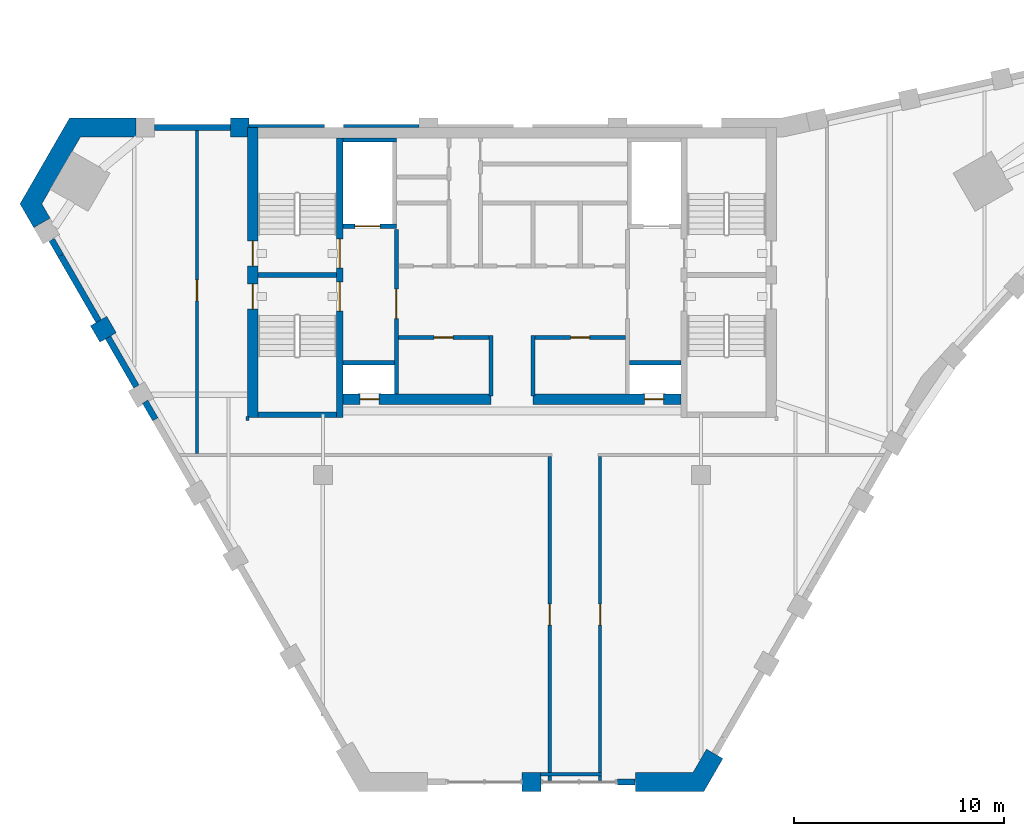
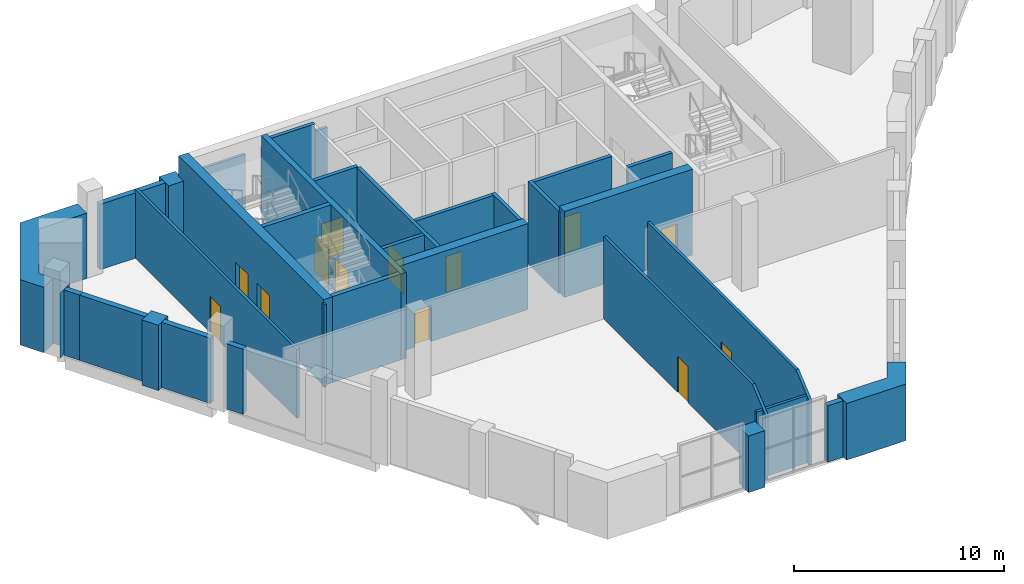
# One storey, part 4 of 9: 33 walls, 13 doors, 13 openings.
"""IFC4 building model written with IfcOpenShell, lengths in metres."""

from ifc_helpers import new_model, si_unit, direction, frame, frame_2d, origin, place, context, subcontext, project, spatial, polyline, rectangle, outline, extrude, material, layer, layer_set, type_object, element, fill, save


model = new_model("IFC4")

# Units and contexts
model_context = context("Model", 3, precision=1e-05, world=origin(), true_north=direction((0.0, 1.0)))
body_context = subcontext(model_context, "Body", "Model", "MODEL_VIEW")
ifc_project = project(units=[si_unit("LENGTHUNIT", "METRE"), si_unit("AREAUNIT", "SQUARE_METRE"), si_unit("VOLUMEUNIT", "CUBIC_METRE"), si_unit("PLANEANGLEUNIT", "RADIAN"), si_unit("MASSUNIT", "GRAM", prefix="KILO")], contexts=[model_context])

# Site, building, storey
site_placement = place(None, origin())
site = spatial("IfcSite", under=ifc_project, at=site_placement, CompositionType="ELEMENT")
building_placement = place(site_placement, origin())
building = spatial("IfcBuilding", under=site, at=building_placement, Name="Calabash Gate Tower", CompositionType="ELEMENT")
storey_placement = place(building_placement, frame((0.0, 0.0, 320.5)))
storey = spatial("IfcBuildingStorey", under=building, at=storey_placement, Name="L75", CompositionType="ELEMENT", Elevation=320.5)

# Walls
ifc_material_1 = material(Name="Terracotta brick masonry, exposed face", Category="masonry")
ifc_layer_1 = layer(ifc_material_1, 0.89990234375)
ifc_layer_set_1 = layer_set([ifc_layer_1], Name="Brick end wall 900")
wall_type_1 = type_object("IfcWallType", Name="Brick end wall 900", PredefinedType="SOLIDWALL", material=ifc_layer_set_1)
wall_1_placement = place(storey_placement, frame((-19.68603515625, 9.83203125, 0.0), z_axis=(0.0, 0.0, 1.0), x_axis=(0.499902469156, -0.866081705922, 0.0)))
element("IfcWall", 1, at=wall_1_placement, inside=storey, type_object=wall_type_1, Name="Brick pier L75 crown0.1", PredefinedType="SOLIDWALL", context=body_context, shape_type="SweptSolid", body=[
    extrude(rectangle(XDim=0.900146484375, YDim=0.89990234375, at=frame_2d((0.4501953125, 0.0))), origin(), (0.0, 0.0, 1.0), 3.800048828125),
])
wall_2_placement = place(storey_placement, origin())
element("IfcWall", 2, at=wall_2_placement, inside=storey, type_object=wall_type_1, Name="Brick pier L75 crown1.1", PredefinedType="SOLIDWALL", context=body_context, shape_type="SweptSolid", body=[
    extrude(outline(polyline([(1.385986328125, -11.671875), (0.48583984375, -11.671875), (0.48583984375, -12.572021484375), (1.385986328125, -12.572021484375), (1.385986328125, -11.671875)])), origin(), (0.0, 0.0, 1.0), 3.29736328125),
])
wall_3_placement = place(storey_placement, origin())
element("IfcWall", 3, at=wall_3_placement, inside=storey, type_object=wall_type_1, Name="Brick pier L75 crown6.5", PredefinedType="SOLIDWALL", context=body_context, shape_type="SweptSolid", body=[
    extrude(outline(polyline([(-13.415771484375, 19.50244140625), (-13.415771484375, 18.6025390625), (-12.60009765625, 18.6025390625), (-12.60009765625, 19.052490234375), (-12.515625, 19.052490234375), (-12.515625, 19.50244140625), (-13.415771484375, 19.50244140625)])), origin(), (0.0, 0.0, 1.0), 3.800048828125),
])
wall_4_placement = place(storey_placement, origin())
element("IfcWall", 4, at=wall_4_placement, inside=storey, type_object=wall_type_1, Name="Brick end wall L75 2", PredefinedType="SOLIDWALL", context=body_context, shape_type="SweptSolid", body=[
    extrude(outline(polyline([(5.885986328125, -11.671875), (5.885986328125, -12.572021484375), (9.142578125, -12.572021484375), (10.046875, -11.005859375), (9.267333984375, -10.555908203125), (8.623046875, -11.671875), (5.885986328125, -11.671875)])), origin(), (0.0, 0.0, 1.0), 3.29736328125),
])
wall_5_placement = place(storey_placement, origin())
element("IfcWall", 5, at=wall_5_placement, inside=storey, type_object=wall_type_1, Name="Brick end wall L75 6", PredefinedType="SOLIDWALL", context=body_context, shape_type="SweptSolid", body=[
    extrude(outline(polyline([(-17.915771484375, 18.6025390625), (-17.916015625, 19.50244140625), (-21.072509765625, 19.50244140625), (-23.430908203125, 15.41796875), (-22.776611328125, 14.28466796875), (-21.997314453125, 14.734619140625), (-21.54736328125, 13.955322265625), (-22.325927734375, 13.504150390625), (-21.54638671875, 13.9541015625), (-22.3916015625, 15.41796875), (-20.552978515625, 18.6025390625), (-17.915771484375, 18.6025390625)])), origin(), (0.0, 0.0, 1.0), 3.800048828125),
])
ifc_material_2 = material(Name="Gypsum board on steel studs, mineral wool", Category="steel")
ifc_layer_2 = layer(ifc_material_2, 0.199951171875)
ifc_layer_set_2 = layer_set([ifc_layer_2], Name="Core partition 200 gypsum board")
wall_type_2 = type_object("IfcWallType", Name="Core partition 200 gypsum board", PredefinedType="PARTITIONING", material=ifc_layer_set_2)
for number, where, z_axis, x_axis, name in (
    (6, (-1.0, 6.272705078125, 0.0), (0.0, 0.0, 1.0), (0.0, 1.0, 0.0), "Core partition"),
    (7, (1.0, 6.272705078125, 0.0), (0.0, 0.0, 1.0), (0.0, 1.0, 0.0), "Core partition"),
):
    element("IfcWall", number, at=place(storey_placement, frame(where, z_axis=z_axis, x_axis=x_axis)), inside=storey, type_object=wall_type_2, Name=name, PredefinedType="PARTITIONING", context=body_context, shape_type="SweptSolid", body=[
        extrude(rectangle(XDim=2.8798828125, YDim=0.199951171875, at=frame_2d((1.43994140625, 0.0))), origin(), (0.0, 0.0, 1.0), 4.800048828125),
    ])

# Wall, opening, door
wall_6_placement = place(storey_placement, frame((-5.39990234375, 9.052490234375, 0.0), z_axis=(0.0, 0.0, 1.0), x_axis=(1.0, 0.0, 0.0)))
wall_6 = element("IfcWall", 8, at=wall_6_placement, inside=storey, type_object=wall_type_2, Name="Core partition", PredefinedType="PARTITIONING", context=body_context, shape_type="SweptSolid", body=[
    extrude(rectangle(XDim=4.2998046875, YDim=0.199951171875, at=frame_2d((2.14990234375, 0.0))), origin(), (0.0, 0.0, 1.0), 4.800048828125),
])
opening_1_placement = place(wall_6_placement, frame((1.699951171875, 0.0, 0.0)))
opening_1 = element("IfcOpeningElement", 9, at=opening_1_placement, cuts=wall_6, Name="Opening L75-016", PredefinedType="OPENING", context=body_context, shape_type="SweptSolid", body=[
    extrude(rectangle(XDim=0.89990234375, YDim=2.10009765625, at=frame_2d((0.449951171875, 1.050048828125))), frame((0.0, 0.10986328125, 0.0), z_axis=(0.0, -1.0, 0.0), x_axis=(1.0, 0.0, 0.0)), (0.0, 0.0, 1.0), 0.219970703125),
])
ifc_material_3 = material(Name="Steel fire door set with fire-resisting glazing", Category="steel")
door_type_1 = type_object("IfcDoorType", Name="Fire door D06 900x2100 FD60", OperationType="NOTDEFINED", PredefinedType="DOOR", material=ifc_material_3)
door_1_placement = place(opening_1_placement, origin())
door_1 = element("IfcDoor", 10, at=door_1_placement, inside=storey, type_object=door_type_1, Name="Maintenance Store door", OperationType="SINGLE_SWING_RIGHT", OverallHeight=2.10009765625, OverallWidth=0.89990234375, PredefinedType="DOOR", context=body_context, shape_type="SweptSolid", body=[
    extrude(rectangle(XDim=0.89990234375, YDim=2.10009765625, at=frame_2d((0.449951171875, 1.050048828125))), frame((0.0, 0.02490234375, 0.0), z_axis=(0.0, -1.0, 0.0), x_axis=(1.0, 0.0, 0.0)), (0.0, 0.0, 1.0), 0.050048828125),
])
fill(opening_1, door_1)

wall_7_placement = place(storey_placement, frame((1.10009765625, 9.052490234375, 0.0), z_axis=(0.0, 0.0, 1.0), x_axis=(1.0, 0.0, 0.0)))
wall_7 = element("IfcWall", 11, at=wall_7_placement, inside=storey, type_object=wall_type_2, Name="Core partition", PredefinedType="PARTITIONING", context=body_context, shape_type="SweptSolid", body=[
    extrude(rectangle(XDim=4.2998046875, YDim=0.199951171875, at=frame_2d((2.14990234375, 0.0))), origin(), (0.0, 0.0, 1.0), 4.800048828125),
])
opening_2_placement = place(wall_7_placement, frame((1.699951171875, 0.0, 0.0)))
opening_2 = element("IfcOpeningElement", 12, at=opening_2_placement, cuts=wall_7, Name="Opening L75-017", PredefinedType="OPENING", context=body_context, shape_type="SweptSolid", body=[
    extrude(rectangle(XDim=0.89990234375, YDim=2.10009765625, at=frame_2d((0.449951171875, 1.050048828125))), frame((0.0, 0.10986328125, 0.0), z_axis=(0.0, -1.0, 0.0), x_axis=(1.0, 0.0, 0.0)), (0.0, 0.0, 1.0), 0.219970703125),
])
door_2_placement = place(opening_2_placement, origin())
door_2 = element("IfcDoor", 13, at=door_2_placement, inside=storey, type_object=door_type_1, Name="Plant Workshop door", OperationType="SINGLE_SWING_LEFT", OverallHeight=2.10009765625, OverallWidth=0.89990234375, PredefinedType="DOOR", context=body_context, shape_type="SweptSolid", body=[
    extrude(rectangle(XDim=0.89990234375, YDim=2.10009765625, at=frame_2d((0.449951171875, 1.050048828125))), frame((0.0, 0.02490234375, 0.0), z_axis=(0.0, -1.0, 0.0), x_axis=(1.0, 0.0, 0.0)), (0.0, 0.0, 1.0), 0.050048828125),
])
fill(opening_2, door_2)

# Walls
ifc_material_4 = material(Name="Concrete C60/75", Category="concrete")
ifc_layer_3 = layer(ifc_material_4, 0.25)
ifc_layer_set_3 = layer_set([ifc_layer_3], Name="Core wall 250 Concrete C60/75")
wall_type_3 = type_object("IfcWallType", Name="Core wall 250 Concrete C60/75", PredefinedType="SHEAR", material=ifc_layer_set_3)
for number, where, z_axis, x_axis, name in (
    (14, (-12.10009765625, 12.027587890625, 0.0), (0.0, 0.0, 1.0), (1.0, 0.0, 0.0), "Core wall C-MIDW L75"),
    (15, (-12.10009765625, 5.377685546875, 0.0), (0.0, 0.0, 1.0), (1.0, 0.0, 0.0), "Core wall C-SSW L75"),
):
    element("IfcWall", number, at=place(storey_placement, frame(where, z_axis=z_axis, x_axis=x_axis)), inside=storey, type_object=wall_type_3, Name=name, PredefinedType="SHEAR", context=body_context, shape_type="SweptSolid", body=[
        extrude(rectangle(XDim=3.75, YDim=0.25, at=frame_2d((1.875, 0.0))), origin(), (0.0, 0.0, 1.0), 5.0),
    ])

# Wall, openings, doors
ifc_material_5 = material(Name="Concrete C60/75", Category="concrete")
ifc_layer_4 = layer(ifc_material_5, 0.300048828125)
ifc_layer_set_4 = layer_set([ifc_layer_4], Name="Core wall 300 Concrete C60/75")
wall_type_4 = type_object("IfcWallType", Name="Core wall 300 Concrete C60/75", PredefinedType="SHEAR", material=ifc_layer_set_4)
wall_8_placement = place(storey_placement, frame((-8.199951171875, 5.252685546875, 0.0), z_axis=(0.0, 0.0, 1.0), x_axis=(0.0, 1.0, 0.0)))
wall_8 = element("IfcWall", 16, at=wall_8_placement, inside=storey, type_object=wall_type_4, Name="Core wall C-PARTW L75", PredefinedType="SHEAR", context=body_context, shape_type="SweptSolid", body=[
    extrude(rectangle(XDim=13.2998046875, YDim=0.300048828125, at=frame_2d((6.64990234375, 0.0))), origin(), (0.0, 0.0, 1.0), 5.0),
])
opening_3_placement = place(wall_8_placement, frame((7.10009765625, 0.0, 0.0)))
opening_3 = element("IfcOpeningElement", 17, at=opening_3_placement, cuts=wall_8, Name="Opening L75-001", PredefinedType="OPENING", context=body_context, shape_type="SweptSolid", body=[
    extrude(rectangle(XDim=1.39990234375, YDim=2.10009765625, at=frame_2d((0.699951171875, 1.050048828125))), frame((0.0, 0.159912109375, 0.0), z_axis=(0.0, -1.0, 0.0), x_axis=(1.0, 0.0, 0.0)), (0.0, 0.0, 1.0), 0.320068359375),
])
opening_4_placement = place(wall_8_placement, frame((5.050048828125, 0.0, 0.0)))
opening_4 = element("IfcOpeningElement", 18, at=opening_4_placement, cuts=wall_8, Name="Opening L75-002", PredefinedType="OPENING", context=body_context, shape_type="SweptSolid", body=[
    extrude(rectangle(XDim=1.39990234375, YDim=2.10009765625, at=frame_2d((0.699951171875, 1.050048828125))), frame((0.0, 0.159912109375, 0.0), z_axis=(0.0, -1.0, 0.0), x_axis=(1.0, 0.0, 0.0)), (0.0, 0.0, 1.0), 0.320068359375),
])
ifc_material_6 = material(Name="Steel fire door set with fire-resisting glazing", Category="steel")
door_type_2 = type_object("IfcDoorType", Name="Fire door D05 1400x2100 FD90", OperationType="NOTDEFINED", PredefinedType="DOOR", material=ifc_material_6)
door_3_placement = place(opening_3_placement, origin())
door_3 = element("IfcDoor", 19, at=door_3_placement, inside=storey, type_object=door_type_2, Name="Exit stair door ST1", OperationType="SINGLE_SWING_LEFT", OverallHeight=2.10009765625, OverallWidth=1.39990234375, PredefinedType="DOOR", context=body_context, shape_type="SweptSolid", body=[
    extrude(rectangle(XDim=1.39990234375, YDim=2.10009765625, at=frame_2d((0.699951171875, 1.050048828125))), frame((0.0, 0.02490234375, 0.0), z_axis=(0.0, -1.0, 0.0), x_axis=(1.0, 0.0, 0.0)), (0.0, 0.0, 1.0), 0.050048828125),
])
fill(opening_3, door_3)
door_4_placement = place(opening_4_placement, origin())
door_4 = element("IfcDoor", 20, at=door_4_placement, inside=storey, type_object=door_type_2, Name="Exit stair door ST2", OperationType="SINGLE_SWING_LEFT", OverallHeight=2.10009765625, OverallWidth=1.39990234375, PredefinedType="DOOR", context=body_context, shape_type="SweptSolid", body=[
    extrude(rectangle(XDim=1.39990234375, YDim=2.10009765625, at=frame_2d((0.699951171875, 1.050048828125))), frame((0.0, 0.02490234375, 0.0), z_axis=(0.0, -1.0, 0.0), x_axis=(1.0, 0.0, 0.0)), (0.0, 0.0, 1.0), 0.050048828125),
])
fill(opening_4, door_4)

ifc_material_7 = material(Name="Concrete C60/75", Category="concrete")
ifc_layer_5 = layer(ifc_material_7, 0.5)
ifc_layer_set_5 = layer_set([ifc_layer_5], Name="Core wall 500 Concrete C60/75")
wall_type_5 = type_object("IfcWallType", Name="Core wall 500 Concrete C60/75", PredefinedType="SHEAR", material=ifc_layer_set_5)
wall_9_placement = place(storey_placement, frame((-12.35009765625, 5.252685546875, 0.0), z_axis=(0.0, 0.0, 1.0), x_axis=(0.0, 1.0, 0.0)))
wall_9 = element("IfcWall", 21, at=wall_9_placement, inside=storey, type_object=wall_type_5, Name="Core wall C-COLW L75", PredefinedType="SHEAR", context=body_context, shape_type="SweptSolid", body=[
    extrude(rectangle(XDim=13.7998046875, YDim=0.5, at=frame_2d((6.89990234375, 0.0))), origin(), (0.0, 0.0, 1.0), 5.0),
])
opening_5_placement = place(wall_9_placement, frame((7.199951171875, 0.0, 0.0)))
opening_5 = element("IfcOpeningElement", 22, at=opening_5_placement, cuts=wall_9, Name="Opening L75-005", PredefinedType="OPENING", context=body_context, shape_type="SweptSolid", body=[
    extrude(rectangle(XDim=1.199951171875, YDim=2.10009765625, at=frame_2d((0.60009765625, 1.050048828125))), frame((0.0, 0.260009765625, 0.0), z_axis=(0.0, -1.0, 0.0), x_axis=(1.0, 0.0, 0.0)), (0.0, 0.0, 1.0), 0.52001953125),
])
opening_6_placement = place(wall_9_placement, frame((5.14990234375, 0.0, 0.0)))
opening_6 = element("IfcOpeningElement", 23, at=opening_6_placement, cuts=wall_9, Name="Opening L75-006", PredefinedType="OPENING", context=body_context, shape_type="SweptSolid", body=[
    extrude(rectangle(XDim=1.199951171875, YDim=2.10009765625, at=frame_2d((0.60009765625, 1.050048828125))), frame((0.0, 0.260009765625, 0.0), z_axis=(0.0, -1.0, 0.0), x_axis=(1.0, 0.0, 0.0)), (0.0, 0.0, 1.0), 0.52001953125),
])
ifc_material_8 = material(Name="Steel fire door set with fire-resisting glazing", Category="steel")
door_type_3 = type_object("IfcDoorType", Name="Fire door D10 1200x2100 FD90", OperationType="NOTDEFINED", PredefinedType="DOOR", material=ifc_material_8)
door_5_placement = place(opening_5_placement, origin())
door_5 = element("IfcDoor", 24, at=door_5_placement, inside=storey, type_object=door_type_3, Name="Exit stair door ST1", OperationType="SINGLE_SWING_RIGHT", OverallHeight=2.10009765625, OverallWidth=1.199951171875, PredefinedType="DOOR", context=body_context, shape_type="SweptSolid", body=[
    extrude(rectangle(XDim=1.199951171875, YDim=2.10009765625, at=frame_2d((0.60009765625, 1.050048828125))), frame((0.0, 0.02490234375, 0.0), z_axis=(0.0, -1.0, 0.0), x_axis=(1.0, 0.0, 0.0)), (0.0, 0.0, 1.0), 0.050048828125),
])
fill(opening_5, door_5)
door_6_placement = place(opening_6_placement, origin())
door_6 = element("IfcDoor", 25, at=door_6_placement, inside=storey, type_object=door_type_3, Name="Exit stair door ST2", OperationType="SINGLE_SWING_LEFT", OverallHeight=2.10009765625, OverallWidth=1.199951171875, PredefinedType="DOOR", context=body_context, shape_type="SweptSolid", body=[
    extrude(rectangle(XDim=1.199951171875, YDim=2.10009765625, at=frame_2d((0.60009765625, 1.050048828125))), frame((0.0, 0.02490234375, 0.0), z_axis=(0.0, -1.0, 0.0), x_axis=(1.0, 0.0, 0.0)), (0.0, 0.0, 1.0), 0.050048828125),
])
fill(opening_6, door_6)

# Wall, opening, door
wall_10_placement = place(storey_placement, frame((-8.050048828125, 6.1025390625, 0.0), z_axis=(0.0, 0.0, 1.0), x_axis=(1.0, 0.0, 0.0)))
wall_10 = element("IfcWall", 26, at=wall_10_placement, inside=storey, type_object=wall_type_5, Name="Core wall C-SA L75", PredefinedType="SHEAR", context=body_context, shape_type="SweptSolid", body=[
    extrude(rectangle(XDim=7.050048828125, YDim=0.5, at=frame_2d((3.52490234375, 0.0))), origin(), (0.0, 0.0, 1.0), 5.0),
])
opening_7_placement = place(wall_10_placement, frame((0.824951171875, 0.0, 0.0)))
opening_7 = element("IfcOpeningElement", 27, at=opening_7_placement, cuts=wall_10, Name="Opening L75-022", PredefinedType="OPENING", context=body_context, shape_type="SweptSolid", body=[
    extrude(rectangle(XDim=0.89990234375, YDim=2.10009765625, at=frame_2d((0.449951171875, 1.050048828125))), frame((0.0, 0.260009765625, 0.0), z_axis=(0.0, -1.0, 0.0), x_axis=(1.0, 0.0, 0.0)), (0.0, 0.0, 1.0), 0.52001953125),
])
ifc_material_9 = material(Name="Steel fire door set with fire-resisting glazing", Category="steel")
door_type_4 = type_object("IfcDoorType", Name="Fire door D07 900x2100 FD90", OperationType="NOTDEFINED", PredefinedType="DOOR", material=ifc_material_9)
door_7_placement = place(opening_7_placement, origin())
door_7 = element("IfcDoor", 28, at=door_7_placement, inside=storey, type_object=door_type_4, Name="Electrical Riser W door", OperationType="SINGLE_SWING_LEFT", OverallHeight=2.10009765625, OverallWidth=0.89990234375, PredefinedType="DOOR", context=body_context, shape_type="SweptSolid", body=[
    extrude(rectangle(XDim=0.89990234375, YDim=2.10009765625, at=frame_2d((0.449951171875, 1.050048828125))), frame((0.0, 0.02490234375, 0.0), z_axis=(0.0, -1.0, 0.0), x_axis=(1.0, 0.0, 0.0)), (0.0, 0.0, 1.0), 0.050048828125),
])
fill(opening_7, door_7)

wall_11_placement = place(storey_placement, frame((1.0, 6.1025390625, 0.0), z_axis=(0.0, 0.0, 1.0), x_axis=(1.0, 0.0, 0.0)))
wall_11 = element("IfcWall", 29, at=wall_11_placement, inside=storey, type_object=wall_type_5, Name="Core wall C-SB L75", PredefinedType="SHEAR", context=body_context, shape_type="SweptSolid", body=[
    extrude(rectangle(XDim=7.050048828125, YDim=0.5, at=frame_2d((3.52490234375, 0.0))), origin(), (0.0, 0.0, 1.0), 5.0),
])
opening_8_placement = place(wall_11_placement, frame((5.324951171875, 0.0, 0.0)))
opening_8 = element("IfcOpeningElement", 30, at=opening_8_placement, cuts=wall_11, Name="Opening L75-023", PredefinedType="OPENING", context=body_context, shape_type="SweptSolid", body=[
    extrude(rectangle(XDim=0.89990234375, YDim=2.10009765625, at=frame_2d((0.449951171875, 1.050048828125))), frame((0.0, 0.260009765625, 0.0), z_axis=(0.0, -1.0, 0.0), x_axis=(1.0, 0.0, 0.0)), (0.0, 0.0, 1.0), 0.52001953125),
])
door_8_placement = place(opening_8_placement, origin())
door_8 = element("IfcDoor", 31, at=door_8_placement, inside=storey, type_object=door_type_4, Name="Mechanical Riser E door", OperationType="SINGLE_SWING_RIGHT", OverallHeight=2.10009765625, OverallWidth=0.89990234375, PredefinedType="DOOR", context=body_context, shape_type="SweptSolid", body=[
    extrude(rectangle(XDim=0.89990234375, YDim=2.10009765625, at=frame_2d((0.449951171875, 1.050048828125))), frame((0.0, 0.02490234375, 0.0), z_axis=(0.0, -1.0, 0.0), x_axis=(1.0, 0.0, 0.0)), (0.0, 0.0, 1.0), 0.050048828125),
])
fill(opening_8, door_8)

# Wall
ifc_material_10 = material(Name="Gypsum board on steel studs, mineral wool", Category="steel")
ifc_layer_6 = layer(ifc_material_10, 0.14990234375)
ifc_layer_set_6 = layer_set([ifc_layer_6], Name="Partition 150 gypsum board")
wall_type_6 = type_object("IfcWallType", Name="Partition 150 gypsum board", PredefinedType="PARTITIONING", material=ifc_layer_set_6)
wall_12_placement = place(storey_placement, frame((1.365966796875, -11.747314453125, 0.0), z_axis=(0.0, 0.0, 1.0), x_axis=(1.0, 0.0, 0.0)))
element("IfcWall", 32, at=wall_12_placement, inside=storey, type_object=wall_type_6, Name="Partition", PredefinedType="PARTITIONING", context=body_context, shape_type="SweptSolid", body=[
    extrude(rectangle(XDim=2.908935546875, YDim=0.14990234375, at=frame_2d((1.45458984375, 0.0))), origin(), (0.0, 0.0, 1.0), 3.92626953125),
])

# Wall, opening, door
wall_13_placement = place(storey_placement, frame((1.800048828125, -12.0419921875, 0.0), z_axis=(0.0, 0.0, 1.0), x_axis=(0.0, 1.0, 0.0)))
wall_13 = element("IfcWall", 33, at=wall_13_placement, inside=storey, type_object=wall_type_6, Name="Partition", PredefinedType="PARTITIONING", context=body_context, shape_type="SweptSolid", body=[
    extrude(outline(polyline([(0.0, 0.0), (15.419677734375, 0.0), (15.419677734375, 4.800048828125), (1.2607421875, 4.800048828125), (0.0, 3.7421875), (0.0, 0.0)])), frame((0.0, 0.074951171875, 0.0), z_axis=(0.0, -1.0, 0.0), x_axis=(1.0, 0.0, 0.0)), (0.0, 0.0, 1.0), 0.14990234375),
])
opening_9_placement = place(wall_13_placement, frame((7.39453125, 0.0, 0.0)))
opening_9 = element("IfcOpeningElement", 34, at=opening_9_placement, cuts=wall_13, Name="Opening L75-026", PredefinedType="OPENING", context=body_context, shape_type="SweptSolid", body=[
    extrude(rectangle(XDim=1.0, YDim=2.10009765625, at=frame_2d((0.5, 1.050048828125))), frame((0.0, 0.0849609375, 0.0), z_axis=(0.0, -1.0, 0.0), x_axis=(1.0, 0.0, 0.0)), (0.0, 0.0, 1.0), 0.169921875),
])
ifc_material_11 = material(Name="Steel fire door set with fire-resisting glazing", Category="steel")
door_type_5 = type_object("IfcDoorType", Name="Fire door D11 1000x2100 FD60", OperationType="NOTDEFINED", PredefinedType="DOOR", material=ifc_material_11)
door_9_placement = place(opening_9_placement, origin())
door_9 = element("IfcDoor", 35, at=door_9_placement, inside=storey, type_object=door_type_5, Name="Mechanical Fan Room door", OperationType="SINGLE_SWING_RIGHT", OverallHeight=2.10009765625, OverallWidth=1.0, PredefinedType="DOOR", context=body_context, shape_type="SweptSolid", body=[
    extrude(rectangle(XDim=1.0, YDim=2.10009765625, at=frame_2d((0.5, 1.050048828125))), frame((0.0, 0.02490234375, 0.0), z_axis=(0.0, -1.0, 0.0), x_axis=(1.0, 0.0, 0.0)), (0.0, 0.0, 1.0), 0.050048828125),
])
fill(opening_9, door_9)

wall_14_placement = place(storey_placement, frame((4.199951171875, -12.0419921875, 0.0), z_axis=(0.0, 0.0, 1.0), x_axis=(0.0, 1.0, 0.0)))
wall_14 = element("IfcWall", 36, at=wall_14_placement, inside=storey, type_object=wall_type_6, Name="Partition", PredefinedType="PARTITIONING", context=body_context, shape_type="SweptSolid", body=[
    extrude(outline(polyline([(0.0, 0.0), (15.419677734375, 0.0), (15.419677734375, 4.800048828125), (1.2607421875, 4.800048828125), (0.0, 3.7421875), (0.0, 0.0)])), frame((0.0, 0.074951171875, 0.0), z_axis=(0.0, -1.0, 0.0), x_axis=(1.0, 0.0, 0.0)), (0.0, 0.0, 1.0), 0.14990234375),
])
opening_10_placement = place(wall_14_placement, frame((7.39453125, 0.0, 0.0)))
opening_10 = element("IfcOpeningElement", 37, at=opening_10_placement, cuts=wall_14, Name="Opening L75-027", PredefinedType="OPENING", context=body_context, shape_type="SweptSolid", body=[
    extrude(rectangle(XDim=1.0, YDim=2.10009765625, at=frame_2d((0.5, 1.050048828125))), frame((0.0, 0.0849609375, 0.0), z_axis=(0.0, -1.0, 0.0), x_axis=(1.0, 0.0, 0.0)), (0.0, 0.0, 1.0), 0.169921875),
])
door_10_placement = place(opening_10_placement, origin())
door_10 = element("IfcDoor", 38, at=door_10_placement, inside=storey, type_object=door_type_5, Name="Plant BMS Room door", OperationType="SINGLE_SWING_RIGHT", OverallHeight=2.10009765625, OverallWidth=1.0, PredefinedType="DOOR", context=body_context, shape_type="SweptSolid", body=[
    extrude(rectangle(XDim=1.0, YDim=2.10009765625, at=frame_2d((0.5, 1.050048828125))), frame((0.0, 0.02490234375, 0.0), z_axis=(0.0, -1.0, 0.0), x_axis=(1.0, 0.0, 0.0)), (0.0, 0.0, 1.0), 0.050048828125),
])
fill(opening_10, door_10)

wall_15_placement = place(storey_placement, frame((-15.0, 3.527587890625, 0.0), z_axis=(0.0, 0.0, 1.0), x_axis=(0.0, 1.0, 0.0)))
wall_15 = element("IfcWall", 39, at=wall_15_placement, inside=storey, type_object=wall_type_6, Name="Partition", PredefinedType="PARTITIONING", context=body_context, shape_type="SweptSolid", body=[
    extrude(rectangle(XDim=15.39501953125, YDim=0.14990234375, at=frame_2d((7.697509765625, 0.0))), origin(), (0.0, 0.0, 1.0), 4.02001953125),
])
opening_11_placement = place(wall_15_placement, frame((7.27490234375, 0.0, 0.0)))
opening_11 = element("IfcOpeningElement", 40, at=opening_11_placement, cuts=wall_15, Name="Opening L75-024", PredefinedType="OPENING", context=body_context, shape_type="SweptSolid", body=[
    extrude(rectangle(XDim=1.0, YDim=2.10009765625, at=frame_2d((0.5, 1.050048828125))), frame((0.0, 0.0849609375, 0.0), z_axis=(0.0, -1.0, 0.0), x_axis=(1.0, 0.0, 0.0)), (0.0, 0.0, 1.0), 0.169921875),
])
door_11_placement = place(opening_11_placement, origin())
door_11 = element("IfcDoor", 41, at=door_11_placement, inside=storey, type_object=door_type_5, Name="Mechanical Fan Room door", OperationType="SINGLE_SWING_LEFT", OverallHeight=2.10009765625, OverallWidth=1.0, PredefinedType="DOOR", context=body_context, shape_type="SweptSolid", body=[
    extrude(rectangle(XDim=1.0, YDim=2.10009765625, at=frame_2d((0.5, 1.050048828125))), frame((0.0, 0.02490234375, 0.0), z_axis=(0.0, -1.0, 0.0), x_axis=(1.0, 0.0, 0.0)), (0.0, 0.0, 1.0), 0.050048828125),
])
fill(opening_11, door_11)

# Wall
wall_16_placement = place(storey_placement, frame((-12.60009765625, 5.09765625, 0.0), z_axis=(0.0, 0.0, 1.0), x_axis=(0.0, 1.0, 0.0)))
element("IfcWall", 42, at=wall_16_placement, inside=storey, type_object=wall_type_6, Name="Partition", PredefinedType="PARTITIONING", context=body_context, shape_type="SweptSolid", body=[
    extrude(rectangle(XDim=0.179931640625, YDim=0.14990234375, at=frame_2d((0.08984375, 0.0))), origin(), (0.0, 0.0, 1.0), 4.800048828125),
])

# Wall, opening, door
ifc_material_12 = material(Name="Concrete C40/50", Category="concrete")
ifc_layer_7 = layer(ifc_material_12, 0.199951171875)
ifc_layer_set_7 = layer_set([ifc_layer_7], Name="Shaft wall 200 Concrete C40/50")
wall_type_7 = type_object("IfcWallType", Name="Shaft wall 200 Concrete C40/50", PredefinedType="SOLIDWALL", material=ifc_layer_set_7)
wall_17_placement = place(storey_placement, frame((-5.5, 6.3525390625, 0.0), z_axis=(0.0, 0.0, 1.0), x_axis=(0.0, 1.0, 0.0)))
wall_17 = element("IfcWall", 43, at=wall_17_placement, inside=storey, type_object=wall_type_7, Name="Shaft wall", PredefinedType="SOLIDWALL", context=body_context, shape_type="SweptSolid", body=[
    extrude(rectangle(XDim=7.85009765625, YDim=0.199951171875, at=frame_2d((3.925048828125, 0.0))), origin(), (0.0, 0.0, 1.0), 4.800048828125),
])
opening_12_placement = place(wall_17_placement, frame((3.60009765625, 0.0, 0.0)))
opening_12 = element("IfcOpeningElement", 44, at=opening_12_placement, cuts=wall_17, Name="Opening L75-010", PredefinedType="OPENING", context=body_context, shape_type="SweptSolid", body=[
    extrude(rectangle(XDim=1.39990234375, YDim=2.10009765625, at=frame_2d((0.699951171875, 1.050048828125))), frame((0.0, 0.10986328125, 0.0), z_axis=(0.0, -1.0, 0.0), x_axis=(1.0, 0.0, 0.0)), (0.0, 0.0, 1.0), 0.219970703125),
])
door_12_placement = place(opening_12_placement, origin())
door_12 = element("IfcDoor", 45, at=door_12_placement, inside=storey, type_object=door_type_2, Name="Firefighting Lobby W door", OperationType="SINGLE_SWING_RIGHT", OverallHeight=2.10009765625, OverallWidth=1.39990234375, PredefinedType="DOOR", context=body_context, shape_type="SweptSolid", body=[
    extrude(rectangle(XDim=1.39990234375, YDim=2.10009765625, at=frame_2d((0.699951171875, 1.050048828125))), frame((0.0, 0.02490234375, 0.0), z_axis=(0.0, -1.0, 0.0), x_axis=(1.0, 0.0, 0.0)), (0.0, 0.0, 1.0), 0.050048828125),
])
fill(opening_12, door_12)

# Walls
for number, where, z_axis, x_axis, name in (
    (46, (-8.050048828125, 7.8525390625, 0.0), (0.0, 0.0, 1.0), (1.0, 0.0, 0.0), "Shaft wall"),
    (47, (5.60009765625, 7.8525390625, 0.0), (0.0, 0.0, 1.0), (1.0, 0.0, 0.0), "Shaft wall"),
):
    element("IfcWall", number, at=place(storey_placement, frame(where, z_axis=z_axis, x_axis=x_axis)), inside=storey, type_object=wall_type_7, Name=name, PredefinedType="SOLIDWALL", context=body_context, shape_type="SweptSolid", body=[
        extrude(rectangle(XDim=2.449951171875, YDim=0.199951171875, at=frame_2d((1.22509765625, 0.0))), origin(), (0.0, 0.0, 1.0), 4.800048828125),
    ])

# Wall, opening, door
wall_18_placement = place(storey_placement, frame((-8.050048828125, 14.3525390625, 0.0), z_axis=(0.0, 0.0, 1.0), x_axis=(1.0, 0.0, 0.0)))
wall_18 = element("IfcWall", 48, at=wall_18_placement, inside=storey, type_object=wall_type_7, Name="Shaft wall", PredefinedType="SOLIDWALL", context=body_context, shape_type="SweptSolid", body=[
    extrude(rectangle(XDim=2.550048828125, YDim=0.199951171875, at=frame_2d((1.27490234375, 0.0))), origin(), (0.0, 0.0, 1.0), 4.800048828125),
])
opening_13_placement = place(wall_18_placement, frame((0.574951171875, 0.0, 0.0)))
opening_13 = element("IfcOpeningElement", 49, at=opening_13_placement, cuts=wall_18, Name="Opening LD-FF1", PredefinedType="OPENING", context=body_context, shape_type="SweptSolid", body=[
    extrude(rectangle(XDim=1.199951171875, YDim=2.10009765625, at=frame_2d((0.60009765625, 1.050048828125))), frame((0.0, 0.10986328125, 0.0), z_axis=(0.0, -1.0, 0.0), x_axis=(1.0, 0.0, 0.0)), (0.0, 0.0, 1.0), 0.219970703125),
])
ifc_material_13 = material(Name="Stainless steel sliding door leaves", Category="steel")
door_type_6 = type_object("IfcDoorType", Name="Lift landing door LS3 1200x2100 FD90", OperationType="DOUBLE_DOOR_SLIDING", PredefinedType="DOOR", material=ifc_material_13)
door_13_placement = place(opening_13_placement, origin())
door_13 = element("IfcDoor", 50, at=door_13_placement, inside=storey, type_object=door_type_6, Name="Lift landing door FF1", OperationType="DOUBLE_DOOR_SLIDING", OverallHeight=2.10009765625, OverallWidth=1.199951171875, PredefinedType="DOOR", context=body_context, shape_type="SweptSolid", body=[
    extrude(rectangle(XDim=1.199951171875, YDim=2.10009765625, at=frame_2d((0.60009765625, 1.050048828125))), frame((0.0, 0.02490234375, 0.0), z_axis=(0.0, -1.0, 0.0), x_axis=(1.0, 0.0, 0.0)), (0.0, 0.0, 1.0), 0.050048828125),
])
fill(opening_13, door_13)

# Walls
wall_19_placement = place(storey_placement, frame((-8.050048828125, 18.45263671875, 0.0), z_axis=(0.0, 0.0, 1.0), x_axis=(1.0, 0.0, 0.0)))
element("IfcWall", 51, at=wall_19_placement, inside=storey, type_object=wall_type_7, Name="Shaft wall", PredefinedType="SOLIDWALL", context=body_context, shape_type="SweptSolid", body=[
    extrude(rectangle(XDim=2.550048828125, YDim=0.199951171875, at=frame_2d((1.27490234375, 0.0))), origin(), (0.0, 0.0, 1.0), 4.800048828125),
])
ifc_material_14 = material(Name="Terracotta louvre blades in an aluminium frame", Category="masonry")
ifc_layer_8 = layer(ifc_material_14, 0.300048828125)
ifc_layer_set_8 = layer_set([ifc_layer_8], Name="Terracotta louvre wall 300")
wall_type_8 = type_object("IfcWallType", Name="Terracotta louvre wall 300", PredefinedType="ELEMENTEDWALL", material=ifc_layer_set_8)
wall_20_placement = place(storey_placement, frame((-21.486083984375, 12.94970703125, 0.0), z_axis=(0.0, 0.0, 1.0), x_axis=(0.500012057535, -0.866018442252, 0.0)))
element("IfcWall", 52, at=wall_20_placement, inside=storey, type_object=wall_type_8, Name="LOUVRE L75 crown0.1", PredefinedType="ELEMENTEDWALL", context=body_context, shape_type="SweptSolid", body=[
    extrude(rectangle(XDim=3.60009765625, YDim=0.300048828125, at=frame_2d((1.800048828125, 0.0))), origin(), (0.0, 0.0, 1.0), 3.800048828125),
])
wall_21_placement = place(storey_placement, origin())
element("IfcWall", 53, at=wall_21_placement, inside=storey, type_object=wall_type_8, Name="LOUVRE L75 crown0.2", PredefinedType="ELEMENTEDWALL", context=body_context, shape_type="SweptSolid", body=[
    extrude(outline(polyline([(-19.365966796875, 8.9775390625), (-18.016845703125, 6.640625), (-17.757080078125, 6.790771484375), (-19.106201171875, 9.12744140625), (-19.365966796875, 8.9775390625)])), origin(), (0.0, 0.0, 1.0), 3.800048828125),
])
wall_22_placement = place(storey_placement, origin())
element("IfcWall", 54, at=wall_22_placement, inside=storey, type_object=wall_type_8, Name="LOUVRE L75 crown6.4", PredefinedType="ELEMENTEDWALL", context=body_context, shape_type="SweptSolid", body=[
    extrude(outline(polyline([(-4.415771484375, 19.20263671875), (-8.015625, 19.20263671875), (-8.015625, 19.052490234375), (-4.415771484375, 19.052490234375), (-4.415771484375, 19.20263671875)])), origin(), (0.0, 0.0, 1.0), 3.800048828125),
])
wall_23_placement = place(storey_placement, origin())
element("IfcWall", 55, at=wall_23_placement, inside=storey, type_object=wall_type_8, Name="LOUVRE L75 crown6.5", PredefinedType="ELEMENTEDWALL", context=body_context, shape_type="SweptSolid", body=[
    extrude(outline(polyline([(-8.915771484375, 19.20263671875), (-12.515625, 19.20263671875), (-12.515625, 19.052490234375), (-8.915771484375, 19.052490234375), (-8.915771484375, 19.20263671875)])), origin(), (0.0, 0.0, 1.0), 3.800048828125),
])
wall_24_placement = place(storey_placement, frame((-13.415771484375, 19.052490234375, 0.0), z_axis=(0.0, 0.0, 1.0), x_axis=(-1.0, 0.0, 0.0)))
element("IfcWall", 56, at=wall_24_placement, inside=storey, type_object=wall_type_8, Name="LOUVRE L75 crown6.6", PredefinedType="ELEMENTEDWALL", context=body_context, shape_type="SweptSolid", body=[
    extrude(rectangle(XDim=3.599853515625, YDim=0.300048828125, at=frame_2d((1.7998046875, 0.0))), origin(), (0.0, 0.0, 1.0), 3.800048828125),
])
wall_25_placement = place(storey_placement, frame((-21.921142578125, 13.703369140625, 0.0), z_axis=(0.0, 0.0, 1.0), x_axis=(0.499958279983, -0.866049489508, 0.0)))
element("IfcWall", 57, at=wall_25_placement, inside=storey, type_object=wall_type_8, Name="LOUVRE L75 edge crown0.c1", PredefinedType="ELEMENTEDWALL", context=body_context, shape_type="SweptSolid", body=[
    extrude(rectangle(XDim=0.8662109375, YDim=0.300048828125, at=frame_2d((0.43310546875, 0.0))), origin(), (0.0, 0.0, 1.0), 3.800048828125),
])
wall_26_placement = place(storey_placement, frame((-16.988037109375, 5.158935546875, 0.0), z_axis=(0.0, 0.0, 1.0), x_axis=(-0.500079715141, 0.865979375335, 0.0)))
element("IfcWall", 58, at=wall_26_placement, inside=storey, type_object=wall_type_8, Name="LOUVRE L75 edge crown0.c2", PredefinedType="ELEMENTEDWALL", context=body_context, shape_type="SweptSolid", body=[
    extrude(rectangle(XDim=0.966064453125, YDim=0.300048828125, at=frame_2d((0.48291015625, 0.0))), origin(), (0.0, 0.0, 1.0), 3.800048828125),
])
wall_27_placement = place(storey_placement, frame((5.01904296875, -12.1220703125, 0.0), z_axis=(0.0, 0.0, 1.0), x_axis=(1.0, 0.0, 0.0)))
element("IfcWall", 59, at=wall_27_placement, inside=storey, type_object=wall_type_8, Name="LOUVRE L75 edge crown1.c6", PredefinedType="ELEMENTEDWALL", context=body_context, shape_type="SweptSolid", body=[
    extrude(rectangle(XDim=0.83984375, YDim=0.300048828125, at=frame_2d((0.419921875, 0.0))), origin(), (0.0, 0.0, 1.0), 3.27880859375),
])

save(model, "model.ifc")
